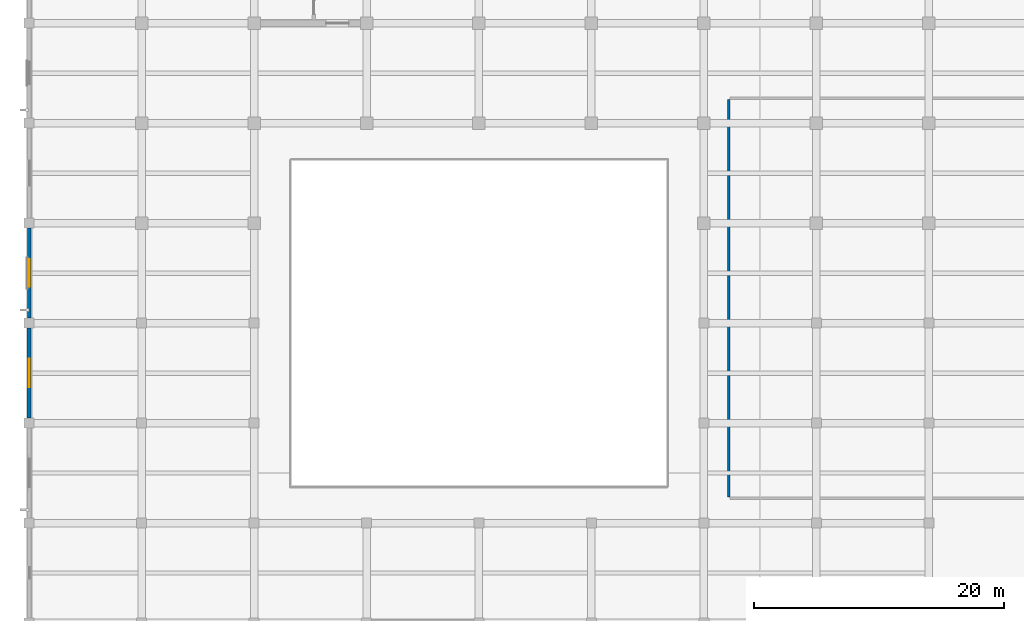
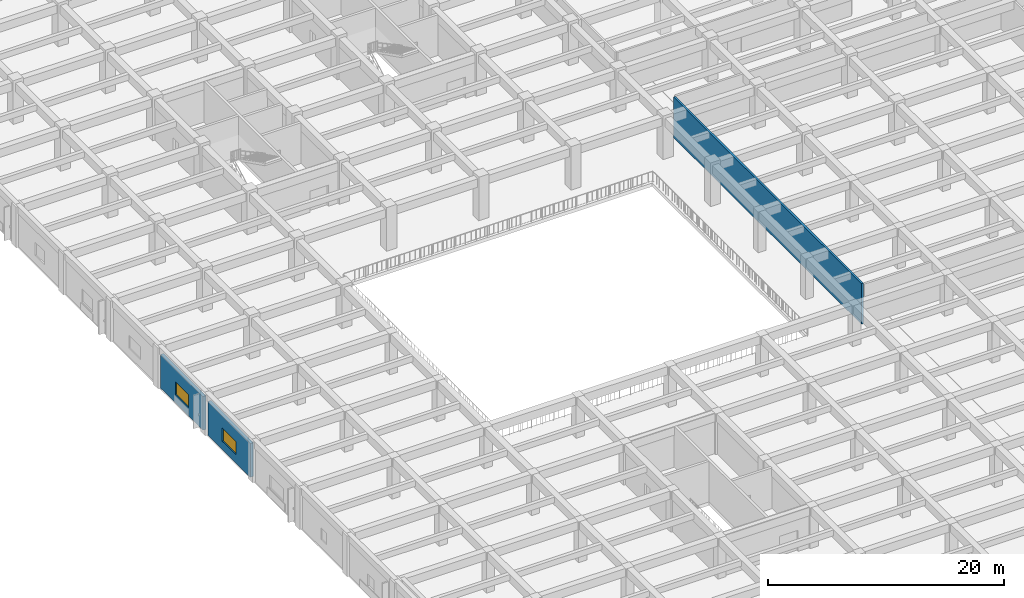
# One storey, part 10 of 32: 3 walls, 2 windows, 2 openings.
"""IFC4 building model written with IfcOpenShell, lengths in metres."""

from ifc_helpers import new_model, si_unit, direction, frame, frame_2d, origin, place, context, subcontext, project, spatial, rectangle, extrude, material, layer, layer_set, type_object, element, fill, save


model = new_model("IFC4")

# Units and contexts
model_context = context("Model", 3, precision=1e-05, world=origin(), true_north=direction((0.0, 1.0)))
body_context = subcontext(model_context, "Body", "Model", "MODEL_VIEW")
ifc_project = project(units=[si_unit("LENGTHUNIT", "METRE"), si_unit("AREAUNIT", "SQUARE_METRE"), si_unit("VOLUMEUNIT", "CUBIC_METRE"), si_unit("PLANEANGLEUNIT", "RADIAN"), si_unit("MASSUNIT", "GRAM", prefix="KILO")], contexts=[model_context])

# Site, building, storey
site_placement = place(None, origin())
site = spatial("IfcSite", under=ifc_project, at=site_placement, CompositionType="ELEMENT")
building_placement = place(site_placement, origin())
building = spatial("IfcBuilding", under=site, at=building_placement, Name="Zaverband Oceanarium and Marine Research Institute", CompositionType="ELEMENT")
storey_placement = place(building_placement, frame((0.0, 0.0, 13.5)))
storey = spatial("IfcBuildingStorey", under=building, at=storey_placement, Name="L03", CompositionType="ELEMENT", Elevation=13.5)

# Wall, opening, window
ifc_material_1 = material(Name="Concrete C40/50 precast", Category="concrete")
ifc_layer_1 = layer(ifc_material_1, 0.2900390625, Name="Concrete C40/50 precast")
ifc_layer_set_1 = layer_set([ifc_layer_1], Name="Concrete C40/50 precast")
wall_type_1 = type_object("IfcWallType", Name="EW-290", PredefinedType="STANDARD", material=ifc_layer_set_1)
wall_1_placement = place(storey_placement, frame((0.0, 56.405029296875, 0.0), z_axis=(0.0, 0.0, 1.0), x_axis=(0.0, 1.0, 0.0)))
wall_1 = element("IfcWall", 1, at=wall_1_placement, inside=storey, type_object=wall_type_1, Name="Exterior infill wall EW-290", PredefinedType="STANDARD", context=body_context, shape_type="SweptSolid", body=[
    extrude(rectangle(XDim=7.18994140625, YDim=0.2900390625, at=frame_2d((3.594970703125, 0.0))), origin(), (0.0, 0.0, 1.0), 3.47998046875),
])
opening_1_placement = place(wall_1_placement, frame((2.4951171875, 0.0, 0.85009765625)))
opening_1 = element("IfcOpeningElement", 2, at=opening_1_placement, cuts=wall_1, Name="Opening WN-2200x1350", PredefinedType="OPENING", context=body_context, shape_type="SweptSolid", body=[
    extrude(rectangle(XDim=2.199951171875, YDim=1.35009765625, at=frame_2d((1.10009765625, 0.675048828125))), frame((0.0, 0.156982421875, 0.0), z_axis=(0.0, -1.0, 0.0), x_axis=(1.0, 0.0, 0.0)), (0.0, 0.0, 1.0), 0.31396484375),
])
ifc_material_2 = material(Name="Thermally broken anodized aluminium and solar-control glass", Category="aluminium")
window_type_1 = type_object("IfcWindowType", Name="WN-2200x1350", PartitioningType="SINGLE_PANEL", PredefinedType="WINDOW", material=ifc_material_2)
window_1_placement = place(opening_1_placement, origin())
window_1 = element("IfcWindow", 3, at=window_1_placement, inside=storey, type_object=window_type_1, Name="Fixed / casement exterior window WN-2200x1350", OverallHeight=1.35009765625, OverallWidth=2.199951171875, PartitioningType="SINGLE_PANEL", PredefinedType="WINDOW", context=body_context, shape_type="SweptSolid", body=[
    extrude(rectangle(XDim=2.199951171875, YDim=1.35009765625, at=frame_2d((1.10009765625, 0.675048828125))), frame((0.0, 0.030029296875, 0.0), z_axis=(0.0, -1.0, 0.0), x_axis=(1.0, 0.0, 0.0)), (0.0, 0.0, 1.0), 0.06005859375),
])
fill(opening_1, window_1)

ifc_layer_2 = layer(ifc_material_1, 0.31005859375, Name="Concrete C40/50 precast")
ifc_layer_set_2 = layer_set([ifc_layer_2], Name="Concrete C40/50 precast")
wall_type_2 = type_object("IfcWallType", Name="EW-310", PredefinedType="STANDARD", material=ifc_layer_set_2)
wall_2_placement = place(storey_placement, frame((0.0, 48.405029296875, 0.0), z_axis=(0.0, 0.0, 1.0), x_axis=(0.0, 1.0, 0.0)))
wall_2 = element("IfcWall", 4, at=wall_2_placement, inside=storey, type_object=wall_type_2, Name="Exterior infill wall EW-310", PredefinedType="STANDARD", context=body_context, shape_type="SweptSolid", body=[
    extrude(rectangle(XDim=7.18994140625, YDim=0.31005859375, at=frame_2d((3.594970703125, 0.0))), origin(), (0.0, 0.0, 1.0), 3.47998046875),
])
opening_2_placement = place(wall_2_placement, frame((2.445068359375, 0.0, 0.85009765625)))
opening_2 = element("IfcOpeningElement", 5, at=opening_2_placement, cuts=wall_2, Name="Opening WN-2300x1350", PredefinedType="OPENING", context=body_context, shape_type="SweptSolid", body=[
    extrude(rectangle(XDim=2.300048828125, YDim=1.35009765625, at=frame_2d((1.14990234375, 0.675048828125))), frame((0.0, 0.1669921875, 0.0), z_axis=(0.0, -1.0, 0.0), x_axis=(1.0, 0.0, 0.0)), (0.0, 0.0, 1.0), 0.333984375),
])
window_type_2 = type_object("IfcWindowType", Name="WN-2300x1350", PartitioningType="SINGLE_PANEL", PredefinedType="WINDOW", material=ifc_material_2)
window_2_placement = place(opening_2_placement, origin())
window_2 = element("IfcWindow", 6, at=window_2_placement, inside=storey, type_object=window_type_2, Name="Fixed / casement exterior window WN-2300x1350", OverallHeight=1.35009765625, OverallWidth=2.300048828125, PartitioningType="SINGLE_PANEL", PredefinedType="WINDOW", context=body_context, shape_type="SweptSolid", body=[
    extrude(rectangle(XDim=2.300048828125, YDim=1.35009765625, at=frame_2d((1.14990234375, 0.675048828125))), frame((0.0, 0.030029296875, 0.0), z_axis=(0.0, -1.0, 0.0), x_axis=(1.0, 0.0, 0.0)), (0.0, 0.0, 1.0), 0.06005859375),
])
fill(opening_2, window_2)

# Wall
ifc_material_3 = material(Name="Fire-rated masonry compartment wall", Category="masonry")
ifc_layer_3 = layer(ifc_material_3, 0.199951171875, Name="Fire-rated masonry compartment wall")
ifc_layer_set_3 = layer_set([ifc_layer_3], Name="Fire-rated masonry compartment wall")
wall_type_3 = type_object("IfcWallType", Name="PT-200-FR", PredefinedType="PARTITIONING", material=ifc_layer_set_3)
wall_3_placement = place(storey_placement, frame((56.0, 42.10009765625, 0.0), z_axis=(0.0, 0.0, 1.0), x_axis=(0.0, 1.0, 0.0)))
element("IfcWall", 7, at=wall_3_placement, inside=storey, type_object=wall_type_3, Name="Internal partition PT-200-FR", PredefinedType="PARTITIONING", context=body_context, shape_type="SweptSolid", body=[
    extrude(rectangle(XDim=31.7998046875, YDim=0.199951171875, at=frame_2d((15.89990234375, 0.0))), origin(), (0.0, 0.0, 1.0), 4.199951171875),
])

save(model, "model.ifc")
